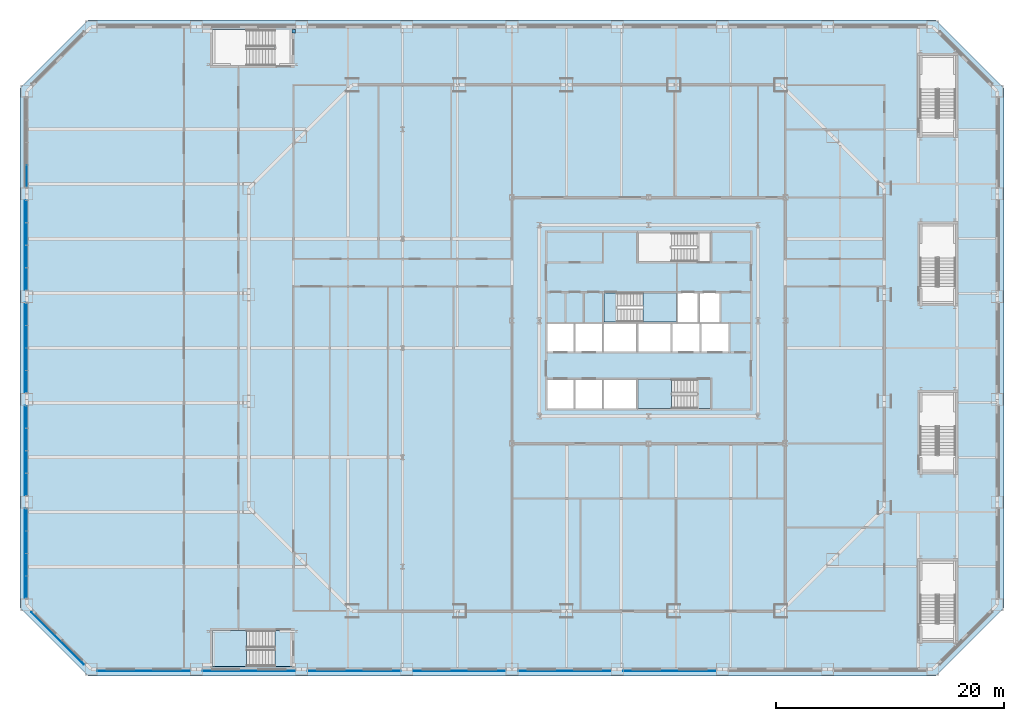
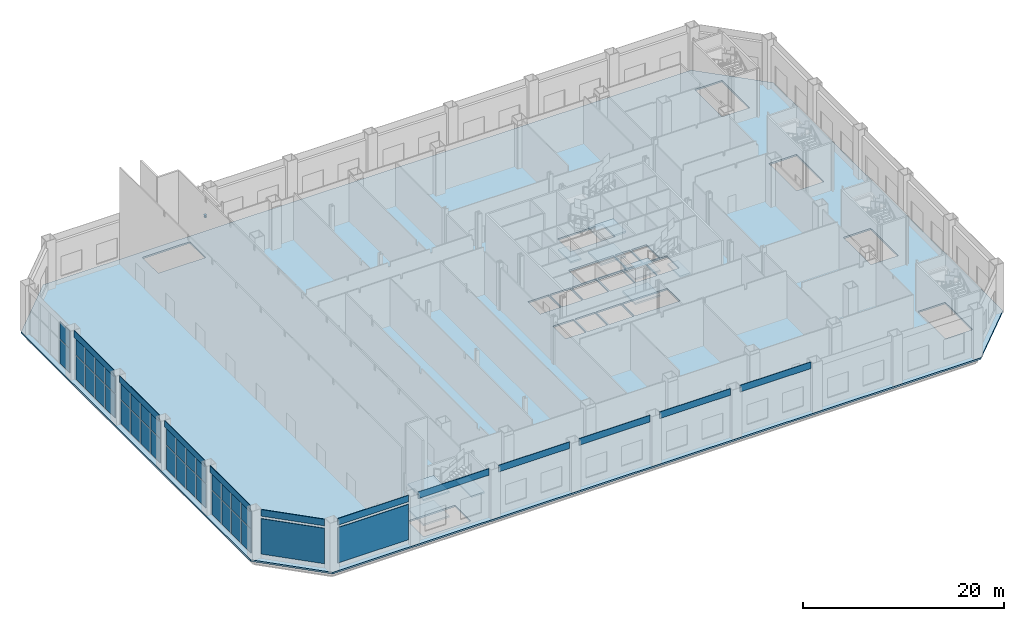
# One storey, part 14 of 31: 47 plates, 10 slabs, 1 beam, 8 elements without a shape of their own.
"""IFC4 building model written with IfcOpenShell, lengths in metres."""

from ifc_helpers import new_model, si_unit, direction, frame, origin, origin_2d, place, context, subcontext, project, spatial, polyline, rectangle, i_section, outline, extrude, material, layer, layer_set, material_profile, profile_set, type_object, element, aggregate, save


model = new_model("IFC4")

# Units and contexts
model_context = context("Model", 3, precision=1e-05, world=origin(), true_north=direction((0.0, 1.0)))
body_context = subcontext(model_context, "Body", "Model", "MODEL_VIEW")
ifc_project = project(units=[si_unit("LENGTHUNIT", "METRE"), si_unit("AREAUNIT", "SQUARE_METRE"), si_unit("VOLUMEUNIT", "CUBIC_METRE"), si_unit("PLANEANGLEUNIT", "RADIAN"), si_unit("MASSUNIT", "GRAM", prefix="KILO")], contexts=[model_context])

# Site, building, storey
site_placement = place(None, origin())
site = spatial("IfcSite", under=ifc_project, at=site_placement, CompositionType="ELEMENT")
building_placement = place(site_placement, origin())
building = spatial("IfcBuilding", under=site, at=building_placement, Name="Cairn Pilgrim Tower", CompositionType="ELEMENT")
storey_placement = place(building_placement, frame((0.0, 0.0, 9.0)))
storey = spatial("IfcBuildingStorey", under=building, at=storey_placement, Name="L01", CompositionType="ELEMENT", Elevation=9.0)

# Beam
ifc_material_1 = material(Name="Structural steel S355J2", Category="steel")
ifc_material_profile = material_profile(ifc_material_1, i_section(OverallWidth=0.300048828125, OverallDepth=0.300048828125, WebThickness=0.010986328125, FlangeThickness=0.01904296875, FilletRadius=0.027099609375, at=origin_2d()), Name="HE 300 B")
ifc_profile_set = profile_set([ifc_material_profile], Name="Structural steel S355J2")
beam_type = type_object("IfcBeamType", Name="STAIR LANDING BRACKET HE 300 B", PredefinedType="BEAM", material=ifc_profile_set)
beam_placement = place(storey_placement, frame((-23.82568359375, 27.800048828125, 2.64990234375), z_axis=(-1.0, 0.0, 0.0), x_axis=(0.0, -1.0, 0.0)))
element("IfcBeam", 1, at=beam_placement, inside=storey, type_object=beam_type, Name="STAIR LANDING BRACKET LB-HE300B", PredefinedType="BEAM", context=body_context, shape_type="SweptSolid", body=[
    extrude(i_section(OverallWidth=0.300048828125, OverallDepth=0.300048828125, WebThickness=0.010986328125, FlangeThickness=0.01904296875, FilletRadius=0.027099609375, at=origin_2d()), origin(), (0.0, 0.0, 1.0), 0.279296875),
])

# Plates
ifc_material_2 = material(Name="Bronze anodised aluminium", Category="aluminium")
ifc_layer_1 = layer(ifc_material_2, 0.050048828125)
ifc_layer_set_1 = layer_set([ifc_layer_1], Name="BRONZE FASCIA PANEL 50")
plate_type_1 = type_object("IfcPlateType", Name="BRONZE FASCIA PANEL 50", PredefinedType="SHEET", material=ifc_layer_set_1)
for number, where, z_axis, x_axis, name in (
    (2, (-37.132568359375, -28.375, 5.2001953125), (0.0, 0.0, 1.0), (1.0, 0.0, 0.0), "FASCIA"),
    (3, (-27.894775390625, -28.375, 5.2001953125), (0.0, 0.0, 1.0), (1.0, 0.0, 0.0), "FASCIA"),
    (4, (-18.65673828125, -28.375, 5.2001953125), (0.0, 0.0, 1.0), (1.0, 0.0, 0.0), "FASCIA"),
    (5, (-9.4189453125, -28.375, 5.2001953125), (0.0, 0.0, 1.0), (1.0, 0.0, 0.0), "FASCIA"),
    (6, (-0.18115234375, -28.375, 5.2001953125), (0.0, 0.0, 1.0), (1.0, 0.0, 0.0), "FASCIA"),
    (7, (9.056884765625, -28.375, 5.2001953125), (0.0, 0.0, 1.0), (1.0, 0.0, 0.0), "FASCIA"),
):
    element("IfcPlate", number, at=place(storey_placement, frame(where, z_axis=z_axis, x_axis=x_axis)), inside=storey, type_object=plate_type_1, Name=name, PredefinedType="SHEET", context=body_context, shape_type="SweptSolid", body=[
        extrude(rectangle(XDim=8.137939453125, YDim=0.050048828125, at=origin_2d()), origin(), (0.0, 0.0, 1.0), 0.800048828125),
    ])
for number, where, z_axis, x_axis, name in (
    (8, (-47.574951171875, 9.0205078125, 5.2001953125), (0.0, 0.0, 1.0), (0.0, -1.0, 0.0), "FASCIA"),
    (9, (-47.574951171875, 0.0, 5.2001953125), (0.0, 0.0, 1.0), (0.0, -1.0, 0.0), "FASCIA"),
    (10, (-47.574951171875, -9.0205078125, 5.2001953125), (0.0, 0.0, 1.0), (0.0, -1.0, 0.0), "FASCIA"),
    (11, (-47.574951171875, -18.041259765625, 5.2001953125), (0.0, 0.0, 1.0), (0.0, -1.0, 0.0), "FASCIA"),
):
    element("IfcPlate", number, at=place(storey_placement, frame(where, z_axis=z_axis, x_axis=x_axis)), inside=storey, type_object=plate_type_1, Name=name, PredefinedType="SHEET", context=body_context, shape_type="SweptSolid", body=[
        extrude(rectangle(XDim=7.920654296875, YDim=0.050048828125, at=origin_2d()), origin(), (0.0, 0.0, 1.0), 0.800048828125),
    ])
plate_1_placement = place(storey_placement, frame((-44.699462890625, -25.49951171875, 5.2001953125), z_axis=(0.0, 0.0, 1.0), x_axis=(0.707106781187, -0.707106781187, 0.0)))
element("IfcPlate", 12, at=plate_1_placement, inside=storey, type_object=plate_type_1, Name="FASCIA", PredefinedType="SHEET", context=body_context, shape_type="SweptSolid", body=[
    extrude(rectangle(XDim=6.50830078125, YDim=0.050048828125, at=origin_2d()), origin(), (0.0, 0.0, 1.0), 0.800048828125),
])
ifc_material_3 = material(Name="Perforated bronze anodised aluminium", Category="aluminium")
ifc_layer_2 = layer(ifc_material_3, 0.050048828125)
ifc_layer_set_2 = layer_set([ifc_layer_2], Name="COBOGO SCREEN 50 BRONZE")
plate_type_2 = type_object("IfcPlateType", Name="COBOGO SCREEN 50 BRONZE", PredefinedType="SHEET", material=ifc_layer_set_2)
plate_2_placement = place(storey_placement, frame((-37.132568359375, -28.375, 0.60009765625), z_axis=(0.0, 0.0, 1.0), x_axis=(1.0, 0.0, 0.0)))
element("IfcPlate", 13, at=plate_2_placement, inside=storey, type_object=plate_type_2, Name="SCREEN", PredefinedType="SHEET", context=body_context, shape_type="SweptSolid", body=[
    extrude(rectangle(XDim=8.137939453125, YDim=0.050048828125, at=origin_2d()), origin(), (0.0, 0.0, 1.0), 4.300048828125),
])
plate_3_placement = place(storey_placement, frame((-44.699462890625, -25.49951171875, 0.60009765625), z_axis=(0.0, 0.0, 1.0), x_axis=(0.707106781187, -0.707106781187, 0.0)))
element("IfcPlate", 14, at=plate_3_placement, inside=storey, type_object=plate_type_2, Name="SCREEN", PredefinedType="SHEET", context=body_context, shape_type="SweptSolid", body=[
    extrude(rectangle(XDim=6.50830078125, YDim=0.050048828125, at=origin_2d()), origin(), (0.0, 0.0, 1.0), 4.300048828125),
])

# Curtain wall, plate
ifc_material_4 = material(Name="Bronze anodised aluminium with Tinted laminated low-E glass", Category="aluminium")
curtain_wall_type = type_object("IfcCurtainWallType", Name="HALL CW", PredefinedType="NOTDEFINED", material=ifc_material_4)
curtain_wall_1_placement = place(storey_placement, origin())
curtain_wall_1 = element("IfcCurtainWall", 15, at=curtain_wall_1_placement, inside=storey, type_object=curtain_wall_type, Name="HALL CW L01 W1-W2", PredefinedType="NOTDEFINED")
ifc_material_5 = material(Name="Tinted laminated low-E glass", Category="glass")
ifc_layer_3 = layer(ifc_material_5, 0.028076171875)
ifc_layer_set_3 = layer_set([ifc_layer_3], Name="HALL GLASS PANEL 1920x2020")
plate_type_3 = type_object("IfcPlateType", Name="HALL GLASS PANEL 1920x2020", PredefinedType="CURTAIN_PANEL", material=ifc_layer_set_3)
plate_4_placement = place(storey_placement, frame((-47.39990234375, 15.0859375, 3.02978515625), z_axis=(0.0, 0.0, 1.0), x_axis=(0.0, -1.0, 0.0)))
plate_4 = element("IfcPlate", 16, at=plate_4_placement, type_object=plate_type_3, Name="HCW-W1-W2 panel 4.2", PredefinedType="CURTAIN_PANEL", context=body_context, shape_type="SweptSolid", body=[
    extrude(rectangle(XDim=1.89013671875, YDim=0.028076171875, at=origin_2d()), origin(), (0.0, 0.0, 1.0), 2.110107421875),
])

# Curtain wall, plates
curtain_wall_2_placement = place(storey_placement, origin())
curtain_wall_2 = element("IfcCurtainWall", 17, at=curtain_wall_2_placement, inside=storey, type_object=curtain_wall_type, Name="HALL CW L01 W2-W3", PredefinedType="NOTDEFINED")
plate_5_placement = place(storey_placement, frame((-47.39990234375, 11.975830078125, 3.02978515625), z_axis=(0.0, 0.0, 1.0), x_axis=(0.0, -1.0, 0.0)))
plate_5 = element("IfcPlate", 18, at=plate_5_placement, type_object=plate_type_3, Name="HCW-W2-W3 panel 1.2", PredefinedType="CURTAIN_PANEL", context=body_context, shape_type="SweptSolid", body=[
    extrude(rectangle(XDim=1.89013671875, YDim=0.028076171875, at=origin_2d()), origin(), (0.0, 0.0, 1.0), 2.110107421875),
])
plate_6_placement = place(storey_placement, frame((-47.39990234375, 10.0107421875, 3.02978515625), z_axis=(0.0, 0.0, 1.0), x_axis=(0.0, -1.0, 0.0)))
plate_6 = element("IfcPlate", 19, at=plate_6_placement, type_object=plate_type_3, Name="HCW-W2-W3 panel 2.2", PredefinedType="CURTAIN_PANEL", context=body_context, shape_type="SweptSolid", body=[
    extrude(rectangle(XDim=1.920166015625, YDim=0.028076171875, at=origin_2d()), origin(), (0.0, 0.0, 1.0), 2.110107421875),
])
plate_7_placement = place(storey_placement, frame((-47.39990234375, 8.030517578125, 3.02978515625), z_axis=(0.0, 0.0, 1.0), x_axis=(0.0, -1.0, 0.0)))
plate_7 = element("IfcPlate", 20, at=plate_7_placement, type_object=plate_type_3, Name="HCW-W2-W3 panel 3.2", PredefinedType="CURTAIN_PANEL", context=body_context, shape_type="SweptSolid", body=[
    extrude(rectangle(XDim=1.920166015625, YDim=0.028076171875, at=origin_2d()), origin(), (0.0, 0.0, 1.0), 2.110107421875),
])
plate_8_placement = place(storey_placement, frame((-47.39990234375, 6.0654296875, 3.02978515625), z_axis=(0.0, 0.0, 1.0), x_axis=(0.0, -1.0, 0.0)))
plate_8 = element("IfcPlate", 21, at=plate_8_placement, type_object=plate_type_3, Name="HCW-W2-W3 panel 4.2", PredefinedType="CURTAIN_PANEL", context=body_context, shape_type="SweptSolid", body=[
    extrude(rectangle(XDim=1.89013671875, YDim=0.028076171875, at=origin_2d()), origin(), (0.0, 0.0, 1.0), 2.110107421875),
])

curtain_wall_3_placement = place(storey_placement, origin())
curtain_wall_3 = element("IfcCurtainWall", 22, at=curtain_wall_3_placement, inside=storey, type_object=curtain_wall_type, Name="HALL CW L01 W3-W4", PredefinedType="NOTDEFINED")
plate_9_placement = place(storey_placement, frame((-47.39990234375, 2.955322265625, 3.02978515625), z_axis=(0.0, 0.0, 1.0), x_axis=(0.0, -1.0, 0.0)))
plate_9 = element("IfcPlate", 23, at=plate_9_placement, type_object=plate_type_3, Name="HCW-W3-W4 panel 1.2", PredefinedType="CURTAIN_PANEL", context=body_context, shape_type="SweptSolid", body=[
    extrude(rectangle(XDim=1.89013671875, YDim=0.028076171875, at=origin_2d()), origin(), (0.0, 0.0, 1.0), 2.110107421875),
])
plate_10_placement = place(storey_placement, frame((-47.39990234375, 0.989990234375, 3.02978515625), z_axis=(0.0, 0.0, 1.0), x_axis=(0.0, -1.0, 0.0)))
plate_10 = element("IfcPlate", 24, at=plate_10_placement, type_object=plate_type_3, Name="HCW-W3-W4 panel 2.2", PredefinedType="CURTAIN_PANEL", context=body_context, shape_type="SweptSolid", body=[
    extrude(rectangle(XDim=1.920166015625, YDim=0.028076171875, at=origin_2d()), origin(), (0.0, 0.0, 1.0), 2.110107421875),
])
plate_11_placement = place(storey_placement, frame((-47.39990234375, -0.989990234375, 3.02978515625), z_axis=(0.0, 0.0, 1.0), x_axis=(0.0, -1.0, 0.0)))
plate_11 = element("IfcPlate", 25, at=plate_11_placement, type_object=plate_type_3, Name="HCW-W3-W4 panel 3.2", PredefinedType="CURTAIN_PANEL", context=body_context, shape_type="SweptSolid", body=[
    extrude(rectangle(XDim=1.920166015625, YDim=0.028076171875, at=origin_2d()), origin(), (0.0, 0.0, 1.0), 2.110107421875),
])
plate_12_placement = place(storey_placement, frame((-47.39990234375, -2.955322265625, 3.02978515625), z_axis=(0.0, 0.0, 1.0), x_axis=(0.0, -1.0, 0.0)))
plate_12 = element("IfcPlate", 26, at=plate_12_placement, type_object=plate_type_3, Name="HCW-W3-W4 panel 4.2", PredefinedType="CURTAIN_PANEL", context=body_context, shape_type="SweptSolid", body=[
    extrude(rectangle(XDim=1.89013671875, YDim=0.028076171875, at=origin_2d()), origin(), (0.0, 0.0, 1.0), 2.110107421875),
])

curtain_wall_4_placement = place(storey_placement, origin())
curtain_wall_4 = element("IfcCurtainWall", 27, at=curtain_wall_4_placement, inside=storey, type_object=curtain_wall_type, Name="HALL CW L01 W4-W5", PredefinedType="NOTDEFINED")
plate_13_placement = place(storey_placement, frame((-47.39990234375, -6.0654296875, 3.02978515625), z_axis=(0.0, 0.0, 1.0), x_axis=(0.0, -1.0, 0.0)))
plate_13 = element("IfcPlate", 28, at=plate_13_placement, type_object=plate_type_3, Name="HCW-W4-W5 panel 1.2", PredefinedType="CURTAIN_PANEL", context=body_context, shape_type="SweptSolid", body=[
    extrude(rectangle(XDim=1.89013671875, YDim=0.028076171875, at=origin_2d()), origin(), (0.0, 0.0, 1.0), 2.110107421875),
])
plate_14_placement = place(storey_placement, frame((-47.39990234375, -8.030517578125, 3.02978515625), z_axis=(0.0, 0.0, 1.0), x_axis=(0.0, -1.0, 0.0)))
plate_14 = element("IfcPlate", 29, at=plate_14_placement, type_object=plate_type_3, Name="HCW-W4-W5 panel 2.2", PredefinedType="CURTAIN_PANEL", context=body_context, shape_type="SweptSolid", body=[
    extrude(rectangle(XDim=1.920166015625, YDim=0.028076171875, at=origin_2d()), origin(), (0.0, 0.0, 1.0), 2.110107421875),
])
plate_15_placement = place(storey_placement, frame((-47.39990234375, -10.0107421875, 3.02978515625), z_axis=(0.0, 0.0, 1.0), x_axis=(0.0, -1.0, 0.0)))
plate_15 = element("IfcPlate", 30, at=plate_15_placement, type_object=plate_type_3, Name="HCW-W4-W5 panel 3.2", PredefinedType="CURTAIN_PANEL", context=body_context, shape_type="SweptSolid", body=[
    extrude(rectangle(XDim=1.920166015625, YDim=0.028076171875, at=origin_2d()), origin(), (0.0, 0.0, 1.0), 2.110107421875),
])
plate_16_placement = place(storey_placement, frame((-47.39990234375, -11.975830078125, 3.02978515625), z_axis=(0.0, 0.0, 1.0), x_axis=(0.0, -1.0, 0.0)))
plate_16 = element("IfcPlate", 31, at=plate_16_placement, type_object=plate_type_3, Name="HCW-W4-W5 panel 4.2", PredefinedType="CURTAIN_PANEL", context=body_context, shape_type="SweptSolid", body=[
    extrude(rectangle(XDim=1.89013671875, YDim=0.028076171875, at=origin_2d()), origin(), (0.0, 0.0, 1.0), 2.110107421875),
])

curtain_wall_5_placement = place(storey_placement, origin())
curtain_wall_5 = element("IfcCurtainWall", 32, at=curtain_wall_5_placement, inside=storey, type_object=curtain_wall_type, Name="HALL CW L01 W5-SW1", PredefinedType="NOTDEFINED")
plate_17_placement = place(storey_placement, frame((-47.39990234375, -15.0859375, 3.02978515625), z_axis=(0.0, 0.0, 1.0), x_axis=(0.0, -1.0, 0.0)))
plate_17 = element("IfcPlate", 33, at=plate_17_placement, type_object=plate_type_3, Name="HCW-W5-SW1 panel 1.2", PredefinedType="CURTAIN_PANEL", context=body_context, shape_type="SweptSolid", body=[
    extrude(rectangle(XDim=1.89013671875, YDim=0.028076171875, at=origin_2d()), origin(), (0.0, 0.0, 1.0), 2.110107421875),
])
plate_18_placement = place(storey_placement, frame((-47.39990234375, -17.051025390625, 3.02978515625), z_axis=(0.0, 0.0, 1.0), x_axis=(0.0, -1.0, 0.0)))
plate_18 = element("IfcPlate", 34, at=plate_18_placement, type_object=plate_type_3, Name="HCW-W5-SW1 panel 2.2", PredefinedType="CURTAIN_PANEL", context=body_context, shape_type="SweptSolid", body=[
    extrude(rectangle(XDim=1.920166015625, YDim=0.028076171875, at=origin_2d()), origin(), (0.0, 0.0, 1.0), 2.110107421875),
])
plate_19_placement = place(storey_placement, frame((-47.39990234375, -19.03125, 3.02978515625), z_axis=(0.0, 0.0, 1.0), x_axis=(0.0, -1.0, 0.0)))
plate_19 = element("IfcPlate", 35, at=plate_19_placement, type_object=plate_type_3, Name="HCW-W5-SW1 panel 3.2", PredefinedType="CURTAIN_PANEL", context=body_context, shape_type="SweptSolid", body=[
    extrude(rectangle(XDim=1.920166015625, YDim=0.028076171875, at=origin_2d()), origin(), (0.0, 0.0, 1.0), 2.110107421875),
])
plate_20_placement = place(storey_placement, frame((-47.39990234375, -20.996337890625, 3.02978515625), z_axis=(0.0, 0.0, 1.0), x_axis=(0.0, -1.0, 0.0)))
plate_20 = element("IfcPlate", 36, at=plate_20_placement, type_object=plate_type_3, Name="HCW-W5-SW1 panel 4.2", PredefinedType="CURTAIN_PANEL", context=body_context, shape_type="SweptSolid", body=[
    extrude(rectangle(XDim=1.89013671875, YDim=0.028076171875, at=origin_2d()), origin(), (0.0, 0.0, 1.0), 2.110107421875),
])

# Plate
ifc_layer_4 = layer(ifc_material_5, 0.028076171875)
ifc_layer_set_4 = layer_set([ifc_layer_4], Name="HALL GLASS PANEL 1920x2820")
plate_type_4 = type_object("IfcPlateType", Name="HALL GLASS PANEL 1920x2820", PredefinedType="CURTAIN_PANEL", material=ifc_layer_set_4)
plate_21_placement = place(storey_placement, frame((-47.39990234375, 15.0859375, 0.06005859375), z_axis=(0.0, 0.0, 1.0), x_axis=(0.0, -1.0, 0.0)))
plate_21 = element("IfcPlate", 37, at=plate_21_placement, type_object=plate_type_4, Name="HCW-W1-W2 panel 4.1", PredefinedType="CURTAIN_PANEL", context=body_context, shape_type="SweptSolid", body=[
    extrude(rectangle(XDim=1.89013671875, YDim=0.028076171875, at=origin_2d()), origin(), (0.0, 0.0, 1.0), 2.909912109375),
])

aggregate(curtain_wall_1, [plate_21, plate_4])

plate_22_placement = place(storey_placement, frame((-47.39990234375, 11.975830078125, 0.06005859375), z_axis=(0.0, 0.0, 1.0), x_axis=(0.0, -1.0, 0.0)))
plate_22 = element("IfcPlate", 38, at=plate_22_placement, type_object=plate_type_4, Name="HCW-W2-W3 panel 1.1", PredefinedType="CURTAIN_PANEL", context=body_context, shape_type="SweptSolid", body=[
    extrude(rectangle(XDim=1.89013671875, YDim=0.028076171875, at=origin_2d()), origin(), (0.0, 0.0, 1.0), 2.909912109375),
])

plate_23_placement = place(storey_placement, frame((-47.39990234375, 10.0107421875, 0.06005859375), z_axis=(0.0, 0.0, 1.0), x_axis=(0.0, -1.0, 0.0)))
plate_23 = element("IfcPlate", 39, at=plate_23_placement, type_object=plate_type_4, Name="HCW-W2-W3 panel 2.1", PredefinedType="CURTAIN_PANEL", context=body_context, shape_type="SweptSolid", body=[
    extrude(rectangle(XDim=1.920166015625, YDim=0.028076171875, at=origin_2d()), origin(), (0.0, 0.0, 1.0), 2.909912109375),
])

plate_24_placement = place(storey_placement, frame((-47.39990234375, 8.030517578125, 0.06005859375), z_axis=(0.0, 0.0, 1.0), x_axis=(0.0, -1.0, 0.0)))
plate_24 = element("IfcPlate", 40, at=plate_24_placement, type_object=plate_type_4, Name="HCW-W2-W3 panel 3.1", PredefinedType="CURTAIN_PANEL", context=body_context, shape_type="SweptSolid", body=[
    extrude(rectangle(XDim=1.920166015625, YDim=0.028076171875, at=origin_2d()), origin(), (0.0, 0.0, 1.0), 2.909912109375),
])

plate_25_placement = place(storey_placement, frame((-47.39990234375, 6.0654296875, 0.06005859375), z_axis=(0.0, 0.0, 1.0), x_axis=(0.0, -1.0, 0.0)))
plate_25 = element("IfcPlate", 41, at=plate_25_placement, type_object=plate_type_4, Name="HCW-W2-W3 panel 4.1", PredefinedType="CURTAIN_PANEL", context=body_context, shape_type="SweptSolid", body=[
    extrude(rectangle(XDim=1.89013671875, YDim=0.028076171875, at=origin_2d()), origin(), (0.0, 0.0, 1.0), 2.909912109375),
])

aggregate(curtain_wall_2, [plate_22, plate_5, plate_23, plate_6, plate_24, plate_7, plate_25, plate_8])

plate_26_placement = place(storey_placement, frame((-47.39990234375, 2.955322265625, 0.06005859375), z_axis=(0.0, 0.0, 1.0), x_axis=(0.0, -1.0, 0.0)))
plate_26 = element("IfcPlate", 42, at=plate_26_placement, type_object=plate_type_4, Name="HCW-W3-W4 panel 1.1", PredefinedType="CURTAIN_PANEL", context=body_context, shape_type="SweptSolid", body=[
    extrude(rectangle(XDim=1.89013671875, YDim=0.028076171875, at=origin_2d()), origin(), (0.0, 0.0, 1.0), 2.909912109375),
])

plate_27_placement = place(storey_placement, frame((-47.39990234375, 0.989990234375, 0.06005859375), z_axis=(0.0, 0.0, 1.0), x_axis=(0.0, -1.0, 0.0)))
plate_27 = element("IfcPlate", 43, at=plate_27_placement, type_object=plate_type_4, Name="HCW-W3-W4 panel 2.1", PredefinedType="CURTAIN_PANEL", context=body_context, shape_type="SweptSolid", body=[
    extrude(rectangle(XDim=1.920166015625, YDim=0.028076171875, at=origin_2d()), origin(), (0.0, 0.0, 1.0), 2.909912109375),
])

plate_28_placement = place(storey_placement, frame((-47.39990234375, -0.989990234375, 0.06005859375), z_axis=(0.0, 0.0, 1.0), x_axis=(0.0, -1.0, 0.0)))
plate_28 = element("IfcPlate", 44, at=plate_28_placement, type_object=plate_type_4, Name="HCW-W3-W4 panel 3.1", PredefinedType="CURTAIN_PANEL", context=body_context, shape_type="SweptSolid", body=[
    extrude(rectangle(XDim=1.920166015625, YDim=0.028076171875, at=origin_2d()), origin(), (0.0, 0.0, 1.0), 2.909912109375),
])

plate_29_placement = place(storey_placement, frame((-47.39990234375, -2.955322265625, 0.06005859375), z_axis=(0.0, 0.0, 1.0), x_axis=(0.0, -1.0, 0.0)))
plate_29 = element("IfcPlate", 45, at=plate_29_placement, type_object=plate_type_4, Name="HCW-W3-W4 panel 4.1", PredefinedType="CURTAIN_PANEL", context=body_context, shape_type="SweptSolid", body=[
    extrude(rectangle(XDim=1.89013671875, YDim=0.028076171875, at=origin_2d()), origin(), (0.0, 0.0, 1.0), 2.909912109375),
])

aggregate(curtain_wall_3, [plate_26, plate_9, plate_27, plate_10, plate_28, plate_11, plate_29, plate_12])

plate_30_placement = place(storey_placement, frame((-47.39990234375, -6.0654296875, 0.06005859375), z_axis=(0.0, 0.0, 1.0), x_axis=(0.0, -1.0, 0.0)))
plate_30 = element("IfcPlate", 46, at=plate_30_placement, type_object=plate_type_4, Name="HCW-W4-W5 panel 1.1", PredefinedType="CURTAIN_PANEL", context=body_context, shape_type="SweptSolid", body=[
    extrude(rectangle(XDim=1.89013671875, YDim=0.028076171875, at=origin_2d()), origin(), (0.0, 0.0, 1.0), 2.909912109375),
])

plate_31_placement = place(storey_placement, frame((-47.39990234375, -8.030517578125, 0.06005859375), z_axis=(0.0, 0.0, 1.0), x_axis=(0.0, -1.0, 0.0)))
plate_31 = element("IfcPlate", 47, at=plate_31_placement, type_object=plate_type_4, Name="HCW-W4-W5 panel 2.1", PredefinedType="CURTAIN_PANEL", context=body_context, shape_type="SweptSolid", body=[
    extrude(rectangle(XDim=1.920166015625, YDim=0.028076171875, at=origin_2d()), origin(), (0.0, 0.0, 1.0), 2.909912109375),
])

plate_32_placement = place(storey_placement, frame((-47.39990234375, -10.0107421875, 0.06005859375), z_axis=(0.0, 0.0, 1.0), x_axis=(0.0, -1.0, 0.0)))
plate_32 = element("IfcPlate", 48, at=plate_32_placement, type_object=plate_type_4, Name="HCW-W4-W5 panel 3.1", PredefinedType="CURTAIN_PANEL", context=body_context, shape_type="SweptSolid", body=[
    extrude(rectangle(XDim=1.920166015625, YDim=0.028076171875, at=origin_2d()), origin(), (0.0, 0.0, 1.0), 2.909912109375),
])

plate_33_placement = place(storey_placement, frame((-47.39990234375, -11.975830078125, 0.06005859375), z_axis=(0.0, 0.0, 1.0), x_axis=(0.0, -1.0, 0.0)))
plate_33 = element("IfcPlate", 49, at=plate_33_placement, type_object=plate_type_4, Name="HCW-W4-W5 panel 4.1", PredefinedType="CURTAIN_PANEL", context=body_context, shape_type="SweptSolid", body=[
    extrude(rectangle(XDim=1.89013671875, YDim=0.028076171875, at=origin_2d()), origin(), (0.0, 0.0, 1.0), 2.909912109375),
])

aggregate(curtain_wall_4, [plate_30, plate_13, plate_31, plate_14, plate_32, plate_15, plate_33, plate_16])

plate_34_placement = place(storey_placement, frame((-47.39990234375, -15.0859375, 0.06005859375), z_axis=(0.0, 0.0, 1.0), x_axis=(0.0, -1.0, 0.0)))
plate_34 = element("IfcPlate", 50, at=plate_34_placement, type_object=plate_type_4, Name="HCW-W5-SW1 panel 1.1", PredefinedType="CURTAIN_PANEL", context=body_context, shape_type="SweptSolid", body=[
    extrude(rectangle(XDim=1.89013671875, YDim=0.028076171875, at=origin_2d()), origin(), (0.0, 0.0, 1.0), 2.909912109375),
])

plate_35_placement = place(storey_placement, frame((-47.39990234375, -17.051025390625, 0.06005859375), z_axis=(0.0, 0.0, 1.0), x_axis=(0.0, -1.0, 0.0)))
plate_35 = element("IfcPlate", 51, at=plate_35_placement, type_object=plate_type_4, Name="HCW-W5-SW1 panel 2.1", PredefinedType="CURTAIN_PANEL", context=body_context, shape_type="SweptSolid", body=[
    extrude(rectangle(XDim=1.920166015625, YDim=0.028076171875, at=origin_2d()), origin(), (0.0, 0.0, 1.0), 2.909912109375),
])

plate_36_placement = place(storey_placement, frame((-47.39990234375, -19.03125, 0.06005859375), z_axis=(0.0, 0.0, 1.0), x_axis=(0.0, -1.0, 0.0)))
plate_36 = element("IfcPlate", 52, at=plate_36_placement, type_object=plate_type_4, Name="HCW-W5-SW1 panel 3.1", PredefinedType="CURTAIN_PANEL", context=body_context, shape_type="SweptSolid", body=[
    extrude(rectangle(XDim=1.920166015625, YDim=0.028076171875, at=origin_2d()), origin(), (0.0, 0.0, 1.0), 2.909912109375),
])

plate_37_placement = place(storey_placement, frame((-47.39990234375, -20.996337890625, 0.06005859375), z_axis=(0.0, 0.0, 1.0), x_axis=(0.0, -1.0, 0.0)))
plate_37 = element("IfcPlate", 53, at=plate_37_placement, type_object=plate_type_4, Name="HCW-W5-SW1 panel 4.1", PredefinedType="CURTAIN_PANEL", context=body_context, shape_type="SweptSolid", body=[
    extrude(rectangle(XDim=1.89013671875, YDim=0.028076171875, at=origin_2d()), origin(), (0.0, 0.0, 1.0), 2.909912109375),
])

aggregate(curtain_wall_5, [plate_34, plate_17, plate_35, plate_18, plate_36, plate_19, plate_37, plate_20])

# Slab
ifc_material_6 = material(Name="Concrete C35/45", Category="concrete")
ifc_layer_5 = layer(ifc_material_6, 0.199951171875)
ifc_layer_set_5 = layer_set([ifc_layer_5], Name="PODIUM COMPOSITE SLAB 200")
slab_type_1 = type_object("IfcSlabType", Name="PODIUM COMPOSITE SLAB 200", PredefinedType="FLOOR", material=ifc_layer_set_5)
slab_1_placement = place(storey_placement, frame((0.0, 0.0, -0.199951171875)))
element("IfcSlab", 54, at=slab_1_placement, inside=storey, type_object=slab_type_1, Name="PODIUM FLOOR SLAB L01", PredefinedType="FLOOR", context=body_context, shape_type="SweptSolid", body=[
    extrude(outline(polyline([(-42.0, 28.800048828125), (-48.0, 22.800048828125), (-48.0, -22.800048828125), (-42.0, -28.800048828125), (32.39990234375, -28.800048828125), (38.39990234375, -22.800048828125), (38.39990234375, 22.800048828125), (32.39990234375, 28.800048828125), (-42.0, 28.800048828125)]), holes=[polyline([(-1.72509765625, -2.77490234375), (0.625, -2.77490234375), (0.625, -5.300048828125), (-1.72509765625, -5.300048828125), (-1.72509765625, -2.77490234375)]), polyline([(3.125, -2.77490234375), (3.125, -5.300048828125), (0.77490234375, -5.300048828125), (0.77490234375, -2.77490234375), (3.125, -2.77490234375)]), polyline([(0.625, -0.324951171875), (-1.72509765625, -0.324951171875), (-1.72509765625, 2.125), (0.625, 2.125), (0.625, -0.324951171875)]), polyline([(0.77490234375, -0.324951171875), (0.77490234375, 2.125), (3.125, 2.125), (3.125, -0.324951171875), (0.77490234375, -0.324951171875)]), polyline([(3.27490234375, -2.77490234375), (6.125, -2.77490234375), (6.125, -5.300048828125), (3.27490234375, -5.300048828125), (3.27490234375, -2.77490234375)]), polyline([(6.125, 2.125), (6.125, -0.324951171875), (3.27490234375, -0.324951171875), (3.27490234375, 2.125), (6.125, 2.125)]), polyline([(9.125, -0.324951171875), (6.27490234375, -0.324951171875), (6.27490234375, 2.125), (9.125, 2.125), (9.125, -0.324951171875)]), polyline([(9.27490234375, -0.324951171875), (9.27490234375, 2.125), (11.675048828125, 2.125), (11.675048828125, -0.324951171875), (9.27490234375, -0.324951171875)]), polyline([(11.824951171875, 2.125), (14.22509765625, 2.125), (14.22509765625, -0.324951171875), (11.824951171875, -0.324951171875), (11.824951171875, 2.125)]), polyline([(11.52490234375, 4.824951171875), (11.52490234375, 2.27490234375), (9.77490234375, 2.27490234375), (9.77490234375, 4.824951171875), (11.52490234375, 4.824951171875)]), polyline([(13.425048828125, 2.27490234375), (11.675048828125, 2.27490234375), (11.675048828125, 4.824951171875), (13.425048828125, 4.824951171875), (13.425048828125, 2.27490234375)]), polyline([(11.424560546875, -2.77490234375), (11.424560546875, -5.300048828125), (6.27490234375, -5.300048828125), (6.27490234375, -2.77490234375), (11.424560546875, -2.77490234375)]), polyline([(4.4755859375, 4.824951171875), (9.625, 4.824951171875), (9.625, 2.27490234375), (4.4755859375, 2.27490234375), (4.4755859375, 4.824951171875)]), polyline([(6.27490234375, 7.574951171875), (6.27490234375, 10.10009765625), (11.424560546875, 10.10009765625), (11.424560546875, 7.574951171875), (6.27490234375, 7.574951171875)]), polyline([(-31.10009765625, 27.949951171875), (-25.650390625, 27.949951171875), (-25.650390625, 24.800048828125), (-31.10009765625, 24.800048828125), (-31.10009765625, 27.949951171875)]), polyline([(-25.650390625, -24.800048828125), (-25.650390625, -27.949951171875), (-31.10009765625, -27.949951171875), (-31.10009765625, -24.800048828125), (-25.650390625, -24.800048828125)]), polyline([(31.0, -24.1494140625), (31.0, -18.699951171875), (34.14990234375, -18.699951171875), (34.14990234375, -24.1494140625), (31.0, -24.1494140625)]), polyline([(31.0, -3.89990234375), (34.14990234375, -3.89990234375), (34.14990234375, -9.349609375), (31.0, -9.349609375), (31.0, -3.89990234375)]), polyline([(34.14990234375, 10.89990234375), (34.14990234375, 5.450439453125), (31.0, 5.450439453125), (31.0, 10.89990234375), (34.14990234375, 10.89990234375)]), polyline([(34.14990234375, 20.25048828125), (31.0, 20.25048828125), (31.0, 25.699951171875), (34.14990234375, 25.699951171875), (34.14990234375, 20.25048828125)])]), origin(), (0.0, 0.0, 1.0), 0.199951171875),
])

# Stair, slabs
stair_type_1 = type_object("IfcStairType", Name="PODIUM EXIT STAIR 1500", PredefinedType="HALF_TURN_STAIR", material=ifc_material_6)
stair_1_placement = place(storey_placement, origin())
stair_1 = element("IfcStair", 55, at=stair_1_placement, inside=storey, type_object=stair_type_1, Name="L01 Exit Stair Hs", PredefinedType="HALF_TURN_STAIR")
ifc_layer_6 = layer(ifc_material_6, 0.199951171875)
ifc_layer_set_6 = layer_set([ifc_layer_6], Name="PODIUM STAIR LANDING 200")
slab_type_2 = type_object("IfcSlabType", Name="PODIUM STAIR LANDING 200", PredefinedType="LANDING", material=ifc_layer_set_6)
slab_2_placement = place(storey_placement, frame((0.0, 0.0, 1.300048828125)))
slab_2 = element("IfcSlab", 56, at=slab_2_placement, type_object=slab_type_2, Name="ST-HS landing 1", PredefinedType="LANDING", context=body_context, shape_type="SweptSolid", body=[
    extrude(outline(polyline([(-28.1201171875, -24.800048828125), (-31.10009765625, -24.800048828125), (-31.10009765625, -27.949951171875), (-28.1201171875, -27.949951171875), (-28.1201171875, -24.800048828125)])), origin(), (0.0, 0.0, 1.0), 0.199951171875),
])
slab_3_placement = place(storey_placement, frame((0.0, 0.0, 2.800048828125)))
slab_3 = element("IfcSlab", 57, at=slab_3_placement, type_object=slab_type_2, Name="ST-HS landing 2", PredefinedType="LANDING", context=body_context, shape_type="SweptSolid", body=[
    extrude(outline(polyline([(-24.10009765625, -24.800048828125), (-25.60009765625, -24.800048828125), (-25.60009765625, -27.949951171875), (-24.10009765625, -27.949951171875), (-24.10009765625, -24.800048828125)])), origin(), (0.0, 0.0, 1.0), 0.199951171875),
])
slab_4_placement = place(storey_placement, frame((0.0, 0.0, 4.300048828125)))
slab_4 = element("IfcSlab", 58, at=slab_4_placement, type_object=slab_type_2, Name="ST-HS landing 3", PredefinedType="LANDING", context=body_context, shape_type="SweptSolid", body=[
    extrude(outline(polyline([(-28.1201171875, -24.800048828125), (-31.10009765625, -24.800048828125), (-31.10009765625, -27.949951171875), (-28.1201171875, -27.949951171875), (-28.1201171875, -24.800048828125)])), origin(), (0.0, 0.0, 1.0), 0.199951171875),
])
aggregate(stair_1, [slab_2, slab_3, slab_4])

ifc_material_7 = material(Name="Concrete C32/40", Category="concrete")
stair_type_2 = type_object("IfcStairType", Name="EXIT STAIR 1200", PredefinedType="HALF_TURN_STAIR", material=ifc_material_7)
stair_2_placement = place(storey_placement, origin())
stair_2 = element("IfcStair", 59, at=stair_2_placement, inside=storey, type_object=stair_type_2, Name="L01 Exit Stair A", PredefinedType="HALF_TURN_STAIR")
ifc_layer_7 = layer(ifc_material_7, 0.199951171875)
ifc_layer_set_7 = layer_set([ifc_layer_7], Name="STAIR LANDING 200")
slab_type_3 = type_object("IfcSlabType", Name="STAIR LANDING 200", PredefinedType="LANDING", material=ifc_layer_set_7)
slab_5_placement = place(storey_placement, frame((0.0, 0.0, 1.300048828125)))
slab_5 = element("IfcSlab", 60, at=slab_5_placement, type_object=slab_type_3, Name="ST-A landing 1", PredefinedType="LANDING", context=body_context, shape_type="SweptSolid", body=[
    extrude(outline(polyline([(9.18505859375, -2.77490234375), (6.27490234375, -2.77490234375), (6.27490234375, -5.300048828125), (9.18505859375, -5.300048828125), (9.18505859375, -2.77490234375)])), origin(), (0.0, 0.0, 1.0), 0.199951171875),
])
slab_6_placement = place(storey_placement, frame((0.0, 0.0, 2.800048828125)))
slab_6 = element("IfcSlab", 61, at=slab_6_placement, type_object=slab_type_3, Name="ST-A landing 2", PredefinedType="LANDING", context=body_context, shape_type="SweptSolid", body=[
    extrude(outline(polyline([(12.625, -2.77490234375), (11.425048828125, -2.77490234375), (11.425048828125, -5.300048828125), (12.625, -5.300048828125), (12.625, -2.77490234375)])), origin(), (0.0, 0.0, 1.0), 0.199951171875),
])
slab_7_placement = place(storey_placement, frame((0.0, 0.0, 4.300048828125)))
slab_7 = element("IfcSlab", 62, at=slab_7_placement, type_object=slab_type_3, Name="ST-A landing 3", PredefinedType="LANDING", context=body_context, shape_type="SweptSolid", body=[
    extrude(outline(polyline([(9.18505859375, -2.77490234375), (6.27490234375, -2.77490234375), (6.27490234375, -5.300048828125), (9.18505859375, -5.300048828125), (9.18505859375, -2.77490234375)])), origin(), (0.0, 0.0, 1.0), 0.199951171875),
])
aggregate(stair_2, [slab_5, slab_6, slab_7])

stair_3_placement = place(storey_placement, origin())
stair_3 = element("IfcStair", 63, at=stair_3_placement, inside=storey, type_object=stair_type_2, Name="L01 Exit Stair B", PredefinedType="HALF_TURN_STAIR")
slab_8_placement = place(storey_placement, frame((0.0, 0.0, 1.300048828125)))
slab_8 = element("IfcSlab", 64, at=slab_8_placement, type_object=slab_type_3, Name="ST-B landing 1", PredefinedType="LANDING", context=body_context, shape_type="SweptSolid", body=[
    extrude(outline(polyline([(6.715087890625, 2.27490234375), (9.625, 2.27490234375), (9.625, 4.824951171875), (6.715087890625, 4.824951171875), (6.715087890625, 2.27490234375)])), origin(), (0.0, 0.0, 1.0), 0.199951171875),
])
slab_9_placement = place(storey_placement, frame((0.0, 0.0, 2.800048828125)))
slab_9 = element("IfcSlab", 65, at=slab_9_placement, type_object=slab_type_3, Name="ST-B landing 2", PredefinedType="LANDING", context=body_context, shape_type="SweptSolid", body=[
    extrude(outline(polyline([(3.27490234375, 2.27490234375), (4.47509765625, 2.27490234375), (4.47509765625, 4.824951171875), (3.27490234375, 4.824951171875), (3.27490234375, 2.27490234375)])), origin(), (0.0, 0.0, 1.0), 0.199951171875),
])
slab_10_placement = place(storey_placement, frame((0.0, 0.0, 4.300048828125)))
slab_10 = element("IfcSlab", 66, at=slab_10_placement, type_object=slab_type_3, Name="ST-B landing 3", PredefinedType="LANDING", context=body_context, shape_type="SweptSolid", body=[
    extrude(outline(polyline([(6.715087890625, 2.27490234375), (9.625, 2.27490234375), (9.625, 4.824951171875), (6.715087890625, 4.824951171875), (6.715087890625, 2.27490234375)])), origin(), (0.0, 0.0, 1.0), 0.199951171875),
])
aggregate(stair_3, [slab_8, slab_9, slab_10])

save(model, "model.ifc")
